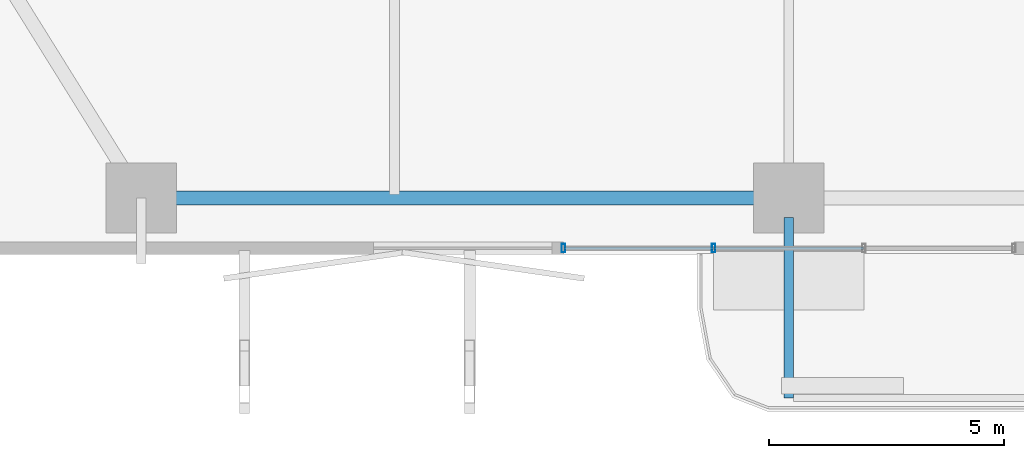
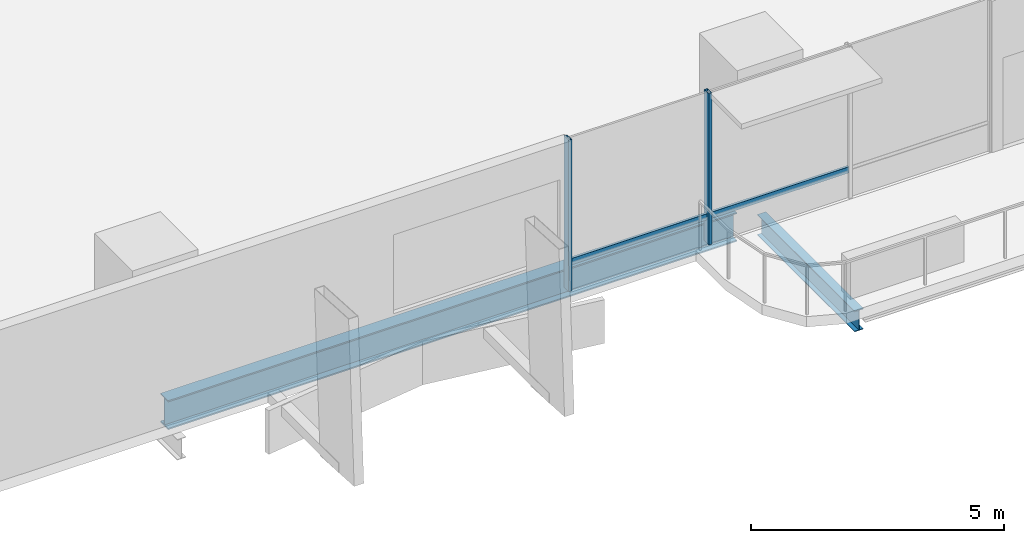
# One storey, part 2 of 24: 4 members, 2 beams, 1 element without a shape of its own.
"""IFC4 building model written with IfcOpenShell, lengths in metres."""

from ifc_helpers import new_model, si_unit, direction, frame, origin, origin_2d, place, context, subcontext, project, spatial, hollow_rectangle, i_section, extrude, material, layer, layer_set, material_profile, profile_set, type_object, element, aggregate, save


model = new_model("IFC4")

# Units and contexts
model_context = context("Model", 3, precision=1e-05, world=origin(), true_north=direction((0.0, 1.0)))
body_context = subcontext(model_context, "Body", "Model", "MODEL_VIEW")
ifc_project = project(units=[si_unit("LENGTHUNIT", "METRE"), si_unit("AREAUNIT", "SQUARE_METRE"), si_unit("VOLUMEUNIT", "CUBIC_METRE"), si_unit("PLANEANGLEUNIT", "RADIAN"), si_unit("MASSUNIT", "GRAM", prefix="KILO")], contexts=[model_context])

# Site, building, storey
site_placement = place(None, origin())
site = spatial("IfcSite", under=ifc_project, at=site_placement, CompositionType="ELEMENT")
building_placement = place(site_placement, origin())
building = spatial("IfcBuilding", under=site, at=building_placement, Name="Belovzor Exchange Tower", CompositionType="ELEMENT")
storey_placement = place(building_placement, frame((0.0, 0.0, 45.60009765625)))
storey = spatial("IfcBuildingStorey", under=building, at=storey_placement, Name="L10", CompositionType="ELEMENT", Elevation=45.60009765625)

# Beam
ifc_material_1 = material(Name="Steel S355", Category="steel")
ifc_material_profile_1 = material_profile(ifc_material_1, i_section(OverallWidth=0.199951171875, OverallDepth=0.5, WebThickness=0.01025390625, FlangeThickness=0.01611328125, at=origin_2d()))
ifc_profile_set_1 = profile_set([ifc_material_profile_1], Name="Steel S355")
beam_type_1 = type_object("IfcBeamType", Name="Planted Balcony Cantilever Beam IPE 500", PredefinedType="BEAM", material=ifc_profile_set_1)
beam_1_placement = place(storey_placement, frame((28.800048828125, 1.68798828125, -0.5), z_axis=(0.0, -1.0, 0.0), x_axis=(1.0, 0.0, 0.0)))
element("IfcBeam", 1, at=beam_1_placement, inside=storey, type_object=beam_type_1, Name="BC-500 Planted Balcony Cantilever Beam IPE 500", PredefinedType="BEAM", context=body_context, shape_type="SweptSolid", body=[
    extrude(i_section(OverallWidth=0.199951171875, OverallDepth=0.5, WebThickness=0.01025390625, FlangeThickness=0.01611328125, at=origin_2d()), origin(), (0.0, 0.0, 1.0), 3.85009765625),
])

# Curtain wall, members
ifc_material_2 = material(Name="Anodised Aluminium Framing", Category="aluminium")
ifc_layer = layer(ifc_material_2, 0.179931640625)
ifc_layer_set = layer_set([ifc_layer], Name="Anodised Aluminium Framing")
curtain_wall_type = type_object("IfcCurtainWallType", Name="Recessed Loggia Low-Iron Triple-Glazed Curtain Wall", PredefinedType="NOTDEFINED", material=ifc_layer_set)
curtain_wall_placement = place(storey_placement, origin())
curtain_wall = element("IfcCurtainWall", 2, at=curtain_wall_placement, inside=storey, type_object=curtain_wall_type, Name="CW3 Recessed Loggia Low-Iron Triple-Glazed Curtain Wall L10", PredefinedType="NOTDEFINED")
ifc_material_3 = material(Name="Steel S355", Category="steel")
ifc_material_profile_2 = material_profile(ifc_material_3, hollow_rectangle(XDim=0.074951171875, YDim=0.179931640625, WallThickness=0.0048828125, at=origin_2d()))
ifc_profile_set_2 = profile_set([ifc_material_profile_2], Name="Steel S355")
member_type_1 = type_object("IfcMemberType", Name="Thermally Broken Curtain Wall Mullion 180x75", PredefinedType="MULLION", material=ifc_profile_set_2)
member_1_placement = place(storey_placement, frame((27.199951171875, 1.030029296875, 0.0), z_axis=(0.0, 0.0, 1.0), x_axis=(-1.0, 0.0, 0.0)))
member_1 = element("IfcMember", 3, at=member_1_placement, type_object=member_type_1, Name="CW-M180 Curtain Wall Mullion 3", PredefinedType="MULLION", context=body_context, shape_type="SweptSolid", body=[
    extrude(hollow_rectangle(XDim=0.074951171875, YDim=0.179931640625, WallThickness=0.0048828125, at=origin_2d()), origin(), (0.0, 0.0, 1.0), 3.64990234375),
])
member_2_placement = place(storey_placement, frame((24.0, 1.030029296875, 0.0), z_axis=(0.0, 0.0, 1.0), x_axis=(-1.0, 0.0, 0.0)))
member_2 = element("IfcMember", 4, at=member_2_placement, type_object=member_type_1, Name="CW-M180 Curtain Wall Mullion 4", PredefinedType="MULLION", context=body_context, shape_type="SweptSolid", body=[
    extrude(hollow_rectangle(XDim=0.074951171875, YDim=0.179931640625, WallThickness=0.0048828125, at=origin_2d()), origin(), (0.0, 0.0, 1.0), 3.64990234375),
])
ifc_material_4 = material(Name="Steel S355", Category="steel")
ifc_material_profile_3 = material_profile(ifc_material_4, hollow_rectangle(XDim=0.06005859375, YDim=0.14990234375, WallThickness=0.00390625, at=origin_2d()))
ifc_profile_set_3 = profile_set([ifc_material_profile_3], Name="Steel S355")
member_type_2 = type_object("IfcMemberType", Name="Thermally Broken Curtain Wall Transom 150x60", PredefinedType="USERDEFINED", material=ifc_profile_set_3)
member_3_placement = place(storey_placement, frame((30.39208984375, 1.030029296875, 0.64990234375), z_axis=(-1.0, 0.0, 0.0), x_axis=(0.0, -1.0, 0.0)))
member_3 = element("IfcMember", 5, at=member_3_placement, type_object=member_type_2, Name="CW-T150 Curtain Wall Transom 2", ObjectType="TRANSOM", PredefinedType="USERDEFINED", context=body_context, shape_type="SweptSolid", body=[
    extrude(hollow_rectangle(XDim=0.06005859375, YDim=0.14990234375, WallThickness=0.00390625, at=origin_2d()), origin(), (0.0, 0.0, 1.0), 3.18408203125),
])
member_4_placement = place(storey_placement, frame((27.19189453125, 1.030029296875, 0.64990234375), z_axis=(-1.0, 0.0, 0.0), x_axis=(0.0, -1.0, 0.0)))
member_4 = element("IfcMember", 6, at=member_4_placement, type_object=member_type_2, Name="CW-T150 Curtain Wall Transom 3", ObjectType="TRANSOM", PredefinedType="USERDEFINED", context=body_context, shape_type="SweptSolid", body=[
    extrude(hollow_rectangle(XDim=0.06005859375, YDim=0.14990234375, WallThickness=0.00390625, at=origin_2d()), origin(), (0.0, 0.0, 1.0), 3.183837890625),
])
aggregate(curtain_wall, [member_1, member_2, member_3, member_4])

# Beam
ifc_material_5 = material(Name="Steel S355", Category="steel")
ifc_material_profile_4 = material_profile(ifc_material_5, i_section(OverallWidth=0.300048828125, OverallDepth=0.699951171875, WebThickness=0.01708984375, FlangeThickness=0.031982421875, at=origin_2d()))
ifc_profile_set_4 = profile_set([ifc_material_profile_4], Name="Steel S355")
beam_type_2 = type_object("IfcBeamType", Name="Zone 1 Primary Perimeter Girder HEB 700", PredefinedType="BEAM", material=ifc_profile_set_4)
beam_2_placement = place(storey_placement, frame((15.412109375, 2.10009765625, -0.60009765625), z_axis=(1.0, 0.0, 0.0), x_axis=(0.0, 1.0, 0.0)))
element("IfcBeam", 7, at=beam_2_placement, inside=storey, type_object=beam_type_2, Name="FG-Z1 Zone 1 Primary Perimeter Girder HEB 700", PredefinedType="BEAM", context=body_context, shape_type="SweptSolid", body=[
    extrude(i_section(OverallWidth=0.300048828125, OverallDepth=0.699951171875, WebThickness=0.01708984375, FlangeThickness=0.031982421875, at=origin_2d()), origin(), (0.0, 0.0, 1.0), 12.974853515625),
])

save(model, "model.ifc")
